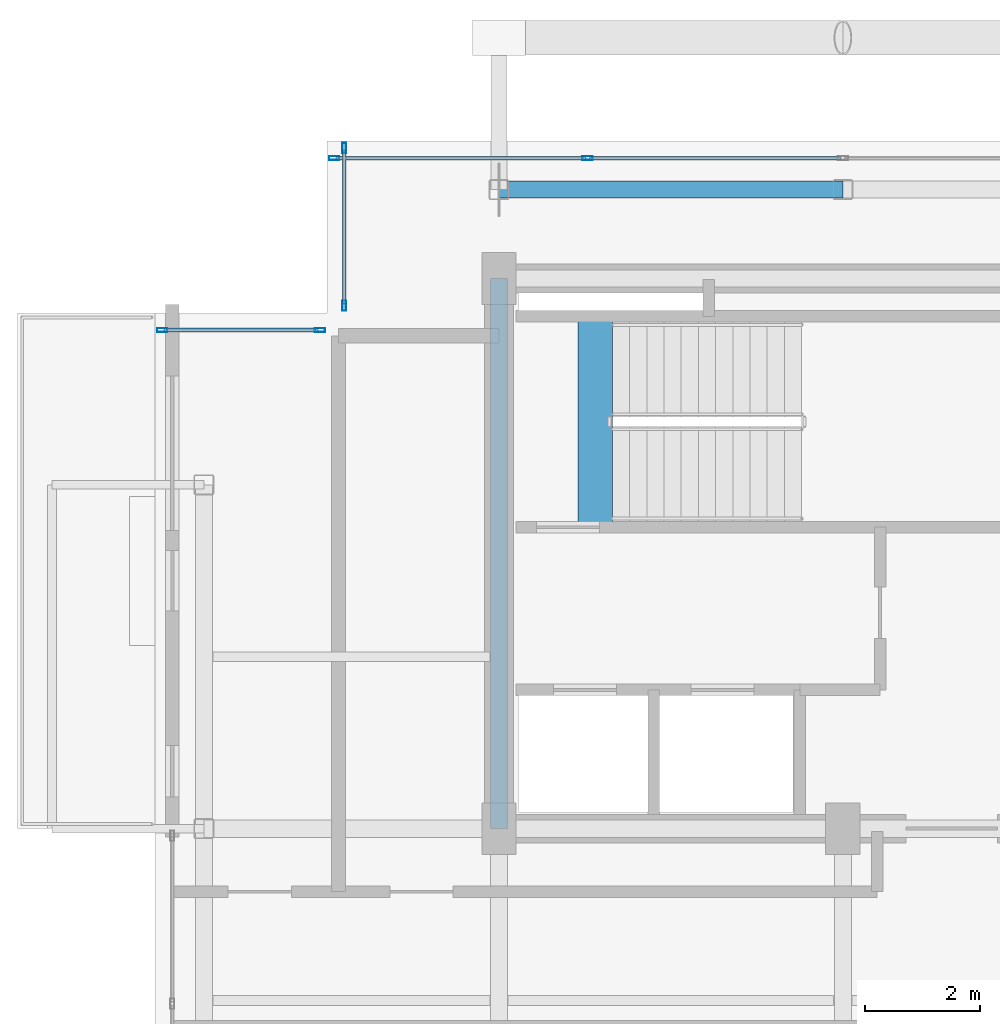
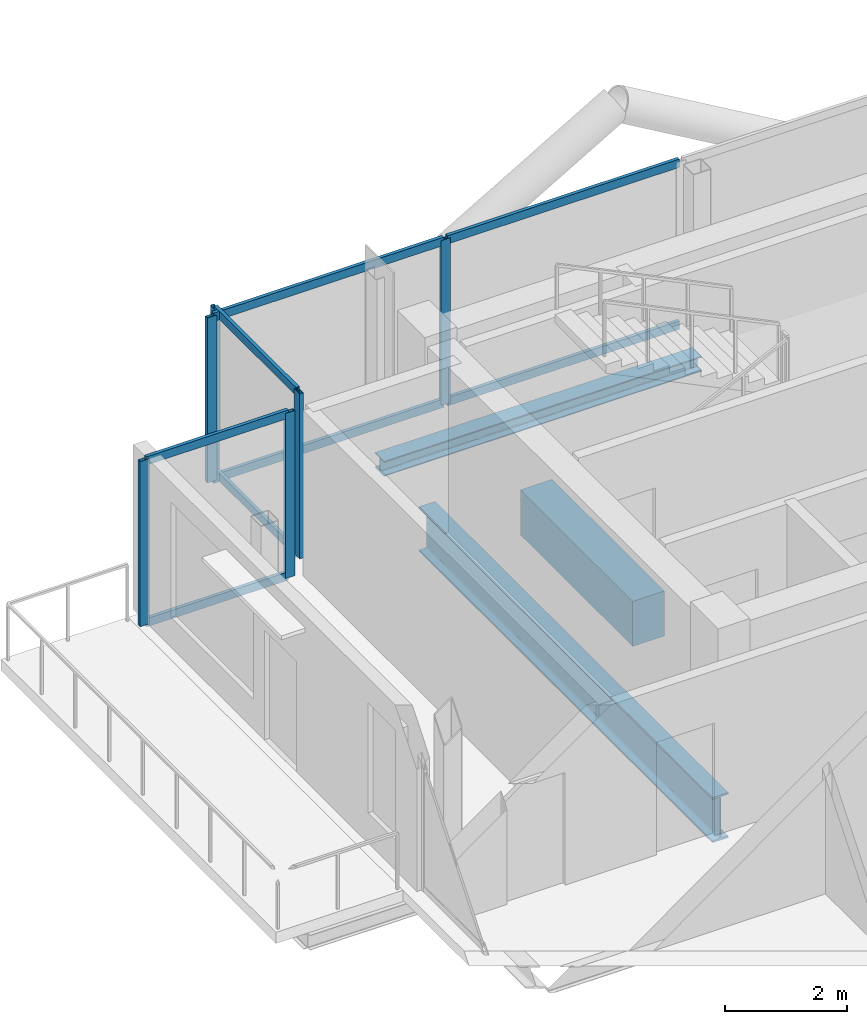
# One storey, part 8 of 19: 14 members, 3 beams, 3 elements without a shape of their own.
"""IFC4 building model written with IfcOpenShell, lengths in metres."""

import ifcopenshell
import ifcopenshell.guid

model = None  # the IFC model being written
_history = None  # IfcOwnerHistory: only IFC2X3 demands one
_inside = {}  # id of a spatial element -> (the spatial element, [elements in it])
_under = {}  # id of a project, library or spatial element -> (it, [spatial elements below it])
_declared = {}  # id of a project -> (the project, [libraries it declares])
_typed = {}  # id of a type object -> (the type object, [elements of that type])
_made_of = {}  # id of a material, layer set ... -> (it, [elements and type objects made of it])


def new_model(schema):
    """Start an empty IFC model of exactly this schema.

    Asked for "IFC4X3", IfcOpenShell would pick the latest addendum, in which some entities
    have other attributes; the version numbers below select the first issue.
    IFC2X3 requires an IfcOwnerHistory on every rooted entity: one is made here for all.
    """
    global model, _history
    if schema == "IFC4X3":
        model = ifcopenshell.file(schema_version=(4, 3, 0, 0))
    else:
        model = ifcopenshell.file(schema=schema)
    _inside.clear()
    _under.clear()
    _declared.clear()
    _typed.clear()
    _made_of.clear()
    _history = None
    if model.schema == "IFC2X3":
        org = make("IfcOrganization", Name="unknown")
        user = make(
            "IfcPersonAndOrganization",
            ThePerson=make("IfcPerson", FamilyName="unknown"),
            TheOrganization=org,
        )
        app = make(
            "IfcApplication",
            ApplicationDeveloper=org,
            Version="unknown",
            ApplicationFullName="unknown",
            ApplicationIdentifier="unknown",
        )
        _history = make(
            "IfcOwnerHistory",
            OwningUser=user,
            OwningApplication=app,
            ChangeAction="ADDED",
            CreationDate=0,
        )
    return model


def make(cls, **values):
    """One entity of the class cls with the attributes given. An attribute that is None is left unset."""
    return model.create_entity(
        cls, **{name: value for name, value in values.items() if value is not None}
    )


def rooted(cls, **values):
    """An entity with a GlobalId (a new one), such as an element, a storey or a relation."""
    return make(cls, GlobalId=ifcopenshell.guid.new(), OwnerHistory=_history, **values)


def si_unit(unit_type, name, prefix=None):
    """IfcSIUnit, for example si_unit("LENGTHUNIT", "METRE", prefix="MILLI")."""
    return make("IfcSIUnit", UnitType=unit_type, Prefix=prefix, Name=name)


def assignment(units):
    """IfcUnitAssignment: the units of a project."""
    return None if units is None else make("IfcUnitAssignment", Units=units)


def point(xyz):
    """IfcCartesianPoint."""
    return None if xyz is None else make("IfcCartesianPoint", Coordinates=xyz)


def direction(xyz):
    """IfcDirection."""
    return None if xyz is None else make("IfcDirection", DirectionRatios=xyz)


def frame(location, z_axis=None, x_axis=None):
    """IfcAxis2Placement3D, a coordinate frame: its origin and axes. An axis left out is left unset."""
    return make(
        "IfcAxis2Placement3D",
        Location=point(location),
        Axis=direction(z_axis),
        RefDirection=direction(x_axis),
    )


def frame_2d(location, x_axis=None):
    """IfcAxis2Placement2D, a coordinate frame in the plane: its origin and x axis."""
    return make(
        "IfcAxis2Placement2D", Location=point(location), RefDirection=direction(x_axis)
    )


def origin():
    """The frame at (0, 0, 0) with its axes left unset."""
    return frame((0.0, 0.0, 0.0))


def origin_2d():
    """The frame at (0, 0) in the plane with its x axis left unset."""
    return frame_2d((0.0, 0.0))


def place(relative_to, where):
    """IfcLocalPlacement: puts the frame where relative to a parent placement (None: the world)."""
    return make(
        "IfcLocalPlacement", PlacementRelTo=relative_to, RelativePlacement=where
    )


def context(
    kind, dimensions, precision=None, world=None, true_north=None, identifier=None
):
    """IfcGeometricRepresentationContext, for example the 3D "Model" context."""
    return make(
        "IfcGeometricRepresentationContext",
        ContextIdentifier=identifier,
        ContextType=kind,
        CoordinateSpaceDimension=dimensions,
        Precision=precision,
        WorldCoordinateSystem=world,
        TrueNorth=true_north,
    )


def subcontext(parent, identifier, kind, view, scale=None):
    """IfcGeometricRepresentationSubContext, for example "Body" below "Model"."""
    return make(
        "IfcGeometricRepresentationSubContext",
        ContextIdentifier=identifier,
        ContextType=kind,
        ParentContext=parent,
        TargetScale=scale,
        TargetView=view,
    )


def project(units=None, contexts=None):
    """IfcProject with its units and contexts."""
    return rooted(
        "IfcProject",
        Name="project",
        RepresentationContexts=contexts,
        UnitsInContext=assignment(units),
    )


def spatial(cls, under=None, at=None, **own):
    """A site, building, storey or space (cls), placed at a placement, below another one or the project."""
    s = rooted(cls, ObjectPlacement=at, **own)
    if under is not None:
        _under.setdefault(under.id(), (under, []))[1].append(s)
    return s


def profile(cls, at=None, kind="AREA", **sizes):
    """A parametric profile (cls). Its sizes go by their IFC names, for example OverallWidth=200.0."""
    return make(cls, ProfileType=kind, Position=at, **sizes)


def rectangle(**sizes):
    """IfcRectangleProfileDef."""
    return profile("IfcRectangleProfileDef", **sizes)


def hollow_rectangle(**sizes):
    """IfcRectangleHollowProfileDef."""
    return profile("IfcRectangleHollowProfileDef", **sizes)


def i_section(**sizes):
    """IfcIShapeProfileDef."""
    return profile("IfcIShapeProfileDef", **sizes)


def extrude(swept, where, along, depth):
    """IfcExtrudedAreaSolid: the profile swept, set in the frame where, extruded along a direction by depth."""
    return make(
        "IfcExtrudedAreaSolid",
        SweptArea=swept,
        Position=where,
        ExtrudedDirection=direction(along),
        Depth=depth,
    )


def shape(context_of_items, identifier, shape_type, items):
    """IfcShapeRepresentation: the items that make up one representation, for example the "Body"."""
    return make(
        "IfcShapeRepresentation",
        ContextOfItems=context_of_items,
        RepresentationIdentifier=identifier,
        RepresentationType=shape_type,
        Items=items,
    )


def material(Name=None, Category=None):
    """IfcMaterial."""
    return make("IfcMaterial", Name=Name, Category=Category)


def layer(
    of_material, thickness, ventilated=None, Name=None, Category=None, Priority=None
):
    """IfcMaterialLayer: one layer of a wall or slab, of a material (None: an air gap)."""
    return make(
        "IfcMaterialLayer",
        Material=of_material,
        LayerThickness=thickness,
        IsVentilated=ventilated,
        Name=Name,
        Category=Category,
        Priority=Priority,
    )


def layer_set(layers, Name=None):
    """IfcMaterialLayerSet."""
    return make("IfcMaterialLayerSet", MaterialLayers=layers, LayerSetName=Name)


def material_profile(
    of_material, cross_section, Name=None, Category=None, Priority=None
):
    """IfcMaterialProfile: a cross section and its material."""
    return make(
        "IfcMaterialProfile",
        Name=Name,
        Material=of_material,
        Profile=cross_section,
        Priority=Priority,
        Category=Category,
    )


def profile_set(profiles, Name=None, composite=None):
    """IfcMaterialProfileSet."""
    return make(
        "IfcMaterialProfileSet",
        Name=Name,
        MaterialProfiles=profiles,
        CompositeProfile=composite,
    )


def made_of(thing, what):
    """Note that an element or type object is made of a material, layer set ...; save() writes the relation."""
    if what is not None:
        _made_of.setdefault(what.id(), (what, []))[1].append(thing)
    return thing


def type_object(cls, material=None, **own):
    """A type object (cls), such as IfcWallType, which elements share."""
    return made_of(rooted(cls, **own), material)


def element(
    cls,
    number,
    at=None,
    inside=None,
    cuts=None,
    type_object=None,
    material=None,
    context=None,
    identifier="Body",
    shape_type=None,
    held_by="IfcProductDefinitionShape",
    body=None,
    shapes=None,
    **own,
):
    """One element of the class cls, such as IfcWall. Its Tag is "e" and its number.

    at: its placement. inside: the storey or other place that contains it. cuts: it is an
    opening in that element (IfcRelVoidsElement). A single representation is given by context,
    identifier, shape_type and body (its items); several are given by shapes. held_by: the class
    of the entity that holds the representations. save() writes the other relations.
    """
    e = rooted(cls, Tag="e%d" % number, ObjectPlacement=at, **own)
    if body is not None:
        shapes = [shape(context, identifier, shape_type, body)]
    if shapes is not None:
        e.Representation = make(held_by, Representations=shapes)
    if inside is not None:
        _inside.setdefault(inside.id(), (inside, []))[1].append(e)
    if cuts is not None:
        rooted(
            "IfcRelVoidsElement", RelatingBuildingElement=cuts, RelatedOpeningElement=e
        )
    if type_object is not None:
        _typed.setdefault(type_object.id(), (type_object, []))[1].append(e)
    return made_of(e, material)


def aggregate(whole, parts):
    """IfcRelAggregates: a whole, such as a stair, and the parts it consists of."""
    return rooted("IfcRelAggregates", RelatingObject=whole, RelatedObjects=parts)


def save(model, path):
    """Write the relations noted so far, then the file.

    IfcRelAggregates (storeys below a building ...), IfcRelContainedInSpatialStructure (elements
    in a storey), IfcRelDefinesByType, IfcRelAssociatesMaterial and IfcRelDeclares: one each for
    every whole, place, type object, material and project.
    """
    for whole, parts in _under.values():
        aggregate(whole, parts)
    for where, things in _inside.values():
        rooted(
            "IfcRelContainedInSpatialStructure",
            RelatedElements=things,
            RelatingStructure=where,
        )
    for kind, things in _typed.values():
        rooted("IfcRelDefinesByType", RelatedObjects=things, RelatingType=kind)
    for what, things in _made_of.values():
        rooted("IfcRelAssociatesMaterial", RelatedObjects=things, RelatingMaterial=what)
    for by, libraries in _declared.values():
        rooted("IfcRelDeclares", RelatingContext=by, RelatedDefinitions=libraries)
    model.write(path)


model = new_model("IFC4")

# Units and contexts
model_context = context("Model", 3, precision=1e-05, world=origin(), true_north=direction((0.0, 1.0)))
body_context = subcontext(model_context, "Body", "Model", "MODEL_VIEW")
ifc_project = project(units=[si_unit("LENGTHUNIT", "METRE"), si_unit("AREAUNIT", "SQUARE_METRE"), si_unit("VOLUMEUNIT", "CUBIC_METRE"), si_unit("PLANEANGLEUNIT", "RADIAN"), si_unit("MASSUNIT", "GRAM", prefix="KILO"), si_unit("THERMODYNAMICTEMPERATUREUNIT", "KELVIN"), si_unit("POWERUNIT", "WATT")], contexts=[model_context])

# Site, building, storey
site_placement = place(None, origin())
site = spatial("IfcSite", under=ifc_project, at=site_placement, CompositionType="ELEMENT")
building_placement = place(site_placement, origin())
building = spatial("IfcBuilding", under=site, at=building_placement, Name="Svarakhadi Broadcast Tower", CompositionType="ELEMENT")
storey_placement = place(building_placement, frame((0.0, 0.0, 243.199951171875)))
storey = spatial("IfcBuildingStorey", under=building, at=storey_placement, Name="L60", CompositionType="ELEMENT", Elevation=243.199951171875)

# Curtain wall, members
ifc_material_1 = material(Name="Anodised Bronze Aluminium AA 6063-T6", Category="aluminium")
ifc_layer = layer(ifc_material_1, 0.179931640625)
ifc_layer_set = layer_set([ifc_layer], Name="Anodised Bronze Aluminium AA 6063-T6")
curtain_wall_type = type_object("IfcCurtainWallType", Name="CW_Sys_05", PredefinedType="NOTDEFINED", material=ifc_layer_set)
curtain_wall_1_placement = place(storey_placement, origin())
curtain_wall_1 = element("IfcCurtainWall", 1, at=curtain_wall_1_placement, inside=storey, type_object=curtain_wall_type, Name="L60 Unitised Facade Curtain Wall 03", PredefinedType="NOTDEFINED")
ifc_material_profile_1 = material_profile(ifc_material_1, hollow_rectangle(XDim=0.070068359375, YDim=0.179931640625, WallThickness=0.005615234375, at=origin_2d()), Name="ALU MULLION 180x70x6")
ifc_profile_set_1 = profile_set([ifc_material_profile_1], Name="Anodised Bronze Aluminium AA 6063-T6")
member_type_1 = type_object("IfcMemberType", Name="CW_Sys_05_Mul", PredefinedType="MULLION", material=ifc_profile_set_1)
member_1_placement = place(storey_placement, frame((0.125, 26.699951171875, 0.0), z_axis=(0.0, 0.0, 1.0), x_axis=(0.0, 1.0, 0.0)))
member_1 = element("IfcMember", 2, at=member_1_placement, type_object=member_type_1, Name="CW-05 mullion 1", PredefinedType="MULLION", context=body_context, shape_type="SweptSolid", body=[
    extrude(hollow_rectangle(XDim=0.070068359375, YDim=0.179931640625, WallThickness=0.005615234375, at=origin_2d()), origin(), (0.0, 0.0, 1.0), 3.300048828125),
])
member_2_placement = place(storey_placement, frame((2.875, 26.699951171875, 0.0), z_axis=(0.0, 0.0, 1.0), x_axis=(0.0, 1.0, 0.0)))
member_2 = element("IfcMember", 3, at=member_2_placement, type_object=member_type_1, Name="CW-05 mullion 2", PredefinedType="MULLION", context=body_context, shape_type="SweptSolid", body=[
    extrude(hollow_rectangle(XDim=0.070068359375, YDim=0.179931640625, WallThickness=0.005615234375, at=origin_2d()), origin(), (0.0, 0.0, 1.0), 3.300048828125),
])

curtain_wall_2_placement = place(storey_placement, origin())
curtain_wall_2 = element("IfcCurtainWall", 4, at=curtain_wall_2_placement, inside=storey, type_object=curtain_wall_type, Name="L60 Unitised Facade Curtain Wall 04", PredefinedType="NOTDEFINED")
member_3_placement = place(storey_placement, frame((3.300048828125, 27.125, 0.0), z_axis=(0.0, 0.0, 1.0), x_axis=(-1.0, 0.0, 0.0)))
member_3 = element("IfcMember", 5, at=member_3_placement, type_object=member_type_1, Name="CW-05 mullion 1", PredefinedType="MULLION", context=body_context, shape_type="SweptSolid", body=[
    extrude(hollow_rectangle(XDim=0.070068359375, YDim=0.179931640625, WallThickness=0.005615234375, at=origin_2d()), origin(), (0.0, 0.0, 1.0), 3.300048828125),
])
member_4_placement = place(storey_placement, frame((3.300048828125, 29.875, 0.0), z_axis=(0.0, 0.0, 1.0), x_axis=(-1.0, 0.0, 0.0)))
member_4 = element("IfcMember", 6, at=member_4_placement, type_object=member_type_1, Name="CW-05 mullion 2", PredefinedType="MULLION", context=body_context, shape_type="SweptSolid", body=[
    extrude(hollow_rectangle(XDim=0.070068359375, YDim=0.179931640625, WallThickness=0.005615234375, at=origin_2d()), origin(), (0.0, 0.0, 1.0), 3.300048828125),
])

curtain_wall_3_placement = place(storey_placement, origin())
curtain_wall_3 = element("IfcCurtainWall", 7, at=curtain_wall_3_placement, inside=storey, type_object=curtain_wall_type, Name="L60 Unitised Facade Curtain Wall 05", PredefinedType="NOTDEFINED")
member_5_placement = place(storey_placement, frame((3.125, 29.699951171875, 0.0), z_axis=(0.0, 0.0, 1.0), x_axis=(0.0, 1.0, 0.0)))
member_5 = element("IfcMember", 8, at=member_5_placement, type_object=member_type_1, Name="CW-05 mullion 1", PredefinedType="MULLION", context=body_context, shape_type="SweptSolid", body=[
    extrude(hollow_rectangle(XDim=0.070068359375, YDim=0.179931640625, WallThickness=0.005615234375, at=origin_2d()), origin(), (0.0, 0.0, 1.0), 3.300048828125),
])
member_6_placement = place(storey_placement, frame((7.544921875, 29.699951171875, 0.0), z_axis=(0.0, 0.0, 1.0), x_axis=(0.0, 1.0, 0.0)))
member_6 = element("IfcMember", 9, at=member_6_placement, type_object=member_type_1, Name="CW-05 mullion 2", PredefinedType="MULLION", context=body_context, shape_type="SweptSolid", body=[
    extrude(hollow_rectangle(XDim=0.070068359375, YDim=0.179931640625, WallThickness=0.005615234375, at=origin_2d()), origin(), (0.0, 0.0, 1.0), 3.300048828125),
])

# Member
ifc_material_profile_2 = material_profile(ifc_material_1, hollow_rectangle(XDim=0.06494140625, YDim=0.1650390625, WallThickness=0.0048828125, at=origin_2d()), Name="ALU TRANSOM 165x65x5")
ifc_profile_set_2 = profile_set([ifc_material_profile_2], Name="Anodised Bronze Aluminium AA 6063-T6")
member_type_2 = type_object("IfcMemberType", Name="CW_Sys_05_Trn", PredefinedType="USERDEFINED", material=ifc_profile_set_2)
member_7_placement = place(storey_placement, frame((0.159912109375, 26.699951171875, 0.032470703125), z_axis=(1.0, 0.0, 0.0), x_axis=(0.0, 1.0, 0.0)))
member_7 = element("IfcMember", 10, at=member_7_placement, type_object=member_type_2, Name="CW-05 transom 1.1", ObjectType="TRANSOM", PredefinedType="USERDEFINED", context=body_context, shape_type="SweptSolid", body=[
    extrude(hollow_rectangle(XDim=0.06494140625, YDim=0.1650390625, WallThickness=0.0048828125, at=origin_2d()), origin(), (0.0, 0.0, 1.0), 2.68017578125),
])

member_8_placement = place(storey_placement, frame((0.159912109375, 26.699951171875, 3.267578125), z_axis=(1.0, 0.0, 0.0), x_axis=(0.0, 1.0, 0.0)))
member_8 = element("IfcMember", 11, at=member_8_placement, type_object=member_type_2, Name="CW-05 transom 1.2", ObjectType="TRANSOM", PredefinedType="USERDEFINED", context=body_context, shape_type="SweptSolid", body=[
    extrude(hollow_rectangle(XDim=0.06494140625, YDim=0.1650390625, WallThickness=0.0048828125, at=origin_2d()), origin(), (0.0, 0.0, 1.0), 2.68017578125),
])

aggregate(curtain_wall_1, [member_1, member_2, member_7, member_8])

member_9_placement = place(storey_placement, frame((3.300048828125, 27.159912109375, 0.032470703125), z_axis=(0.0, 1.0, 0.0), x_axis=(-1.0, 0.0, 0.0)))
member_9 = element("IfcMember", 12, at=member_9_placement, type_object=member_type_2, Name="CW-05 transom 1.1", ObjectType="TRANSOM", PredefinedType="USERDEFINED", context=body_context, shape_type="SweptSolid", body=[
    extrude(hollow_rectangle(XDim=0.06494140625, YDim=0.1650390625, WallThickness=0.0048828125, at=origin_2d()), origin(), (0.0, 0.0, 1.0), 2.68017578125),
])

member_10_placement = place(storey_placement, frame((3.300048828125, 27.159912109375, 3.267578125), z_axis=(0.0, 1.0, 0.0), x_axis=(-1.0, 0.0, 0.0)))
member_10 = element("IfcMember", 13, at=member_10_placement, type_object=member_type_2, Name="CW-05 transom 1.2", ObjectType="TRANSOM", PredefinedType="USERDEFINED", context=body_context, shape_type="SweptSolid", body=[
    extrude(hollow_rectangle(XDim=0.06494140625, YDim=0.1650390625, WallThickness=0.0048828125, at=origin_2d()), origin(), (0.0, 0.0, 1.0), 2.68017578125),
])

aggregate(curtain_wall_2, [member_3, member_4, member_9, member_10])

member_11_placement = place(storey_placement, frame((3.159912109375, 29.699951171875, 0.032470703125), z_axis=(1.0, 0.0, 0.0), x_axis=(0.0, 1.0, 0.0)))
member_11 = element("IfcMember", 14, at=member_11_placement, type_object=member_type_2, Name="CW-05 transom 1.1", ObjectType="TRANSOM", PredefinedType="USERDEFINED", context=body_context, shape_type="SweptSolid", body=[
    extrude(hollow_rectangle(XDim=0.06494140625, YDim=0.1650390625, WallThickness=0.0048828125, at=origin_2d()), origin(), (0.0, 0.0, 1.0), 4.35009765625),
])

member_12_placement = place(storey_placement, frame((3.159912109375, 29.699951171875, 3.267578125), z_axis=(1.0, 0.0, 0.0), x_axis=(0.0, 1.0, 0.0)))
member_12 = element("IfcMember", 15, at=member_12_placement, type_object=member_type_2, Name="CW-05 transom 1.2", ObjectType="TRANSOM", PredefinedType="USERDEFINED", context=body_context, shape_type="SweptSolid", body=[
    extrude(hollow_rectangle(XDim=0.06494140625, YDim=0.1650390625, WallThickness=0.0048828125, at=origin_2d()), origin(), (0.0, 0.0, 1.0), 4.35009765625),
])

member_13_placement = place(storey_placement, frame((7.580078125, 29.699951171875, 0.032470703125), z_axis=(1.0, 0.0, 0.0), x_axis=(0.0, 1.0, 0.0)))
member_13 = element("IfcMember", 16, at=member_13_placement, type_object=member_type_2, Name="CW-05 transom 2.1", ObjectType="TRANSOM", PredefinedType="USERDEFINED", context=body_context, shape_type="SweptSolid", body=[
    extrude(hollow_rectangle(XDim=0.06494140625, YDim=0.1650390625, WallThickness=0.0048828125, at=origin_2d()), origin(), (0.0, 0.0, 1.0), 4.385009765625),
])

member_14_placement = place(storey_placement, frame((7.580078125, 29.699951171875, 3.267578125), z_axis=(1.0, 0.0, 0.0), x_axis=(0.0, 1.0, 0.0)))
member_14 = element("IfcMember", 17, at=member_14_placement, type_object=member_type_2, Name="CW-05 transom 2.2", ObjectType="TRANSOM", PredefinedType="USERDEFINED", context=body_context, shape_type="SweptSolid", body=[
    extrude(hollow_rectangle(XDim=0.06494140625, YDim=0.1650390625, WallThickness=0.0048828125, at=origin_2d()), origin(), (0.0, 0.0, 1.0), 4.385009765625),
])

aggregate(curtain_wall_3, [member_5, member_6, member_11, member_12, member_13, member_14])

# Beams
ifc_material_2 = material(Name="Concrete C50/60 (IS 456 M60)", Category="concrete")
ifc_material_profile_3 = material_profile(ifc_material_2, rectangle(XDim=0.60009765625, YDim=0.89990234375, at=origin_2d()), Name="RC 600x900")
ifc_profile_set_3 = profile_set([ifc_material_profile_3], Name="Concrete C50/60 (IS 456 M60)")
beam_type_1 = type_object("IfcBeamType", Name="Coupling_RC600", PredefinedType="USERDEFINED", material=ifc_profile_set_3)
beam_1_placement = place(storey_placement, frame((7.679931640625, 23.260009765625, -0.449951171875), z_axis=(0.0, 1.0, 0.0), x_axis=(-1.0, 0.0, 0.0)))
element("IfcBeam", 18, at=beam_1_placement, inside=storey, type_object=beam_type_1, Name="L60 Stair ST-01 Landing Throat Trimmer Beam CB-01", ObjectType="GIRDER", PredefinedType="USERDEFINED", context=body_context, shape_type="SweptSolid", body=[
    extrude(rectangle(XDim=0.60009765625, YDim=0.89990234375, at=origin_2d()), origin(), (0.0, 0.0, 1.0), 3.679931640625),
])
ifc_material_3 = material(Name="Steel S355J2 (IS 2062 E350C)", Category="steel")
ifc_material_profile_4 = material_profile(ifc_material_3, i_section(OverallWidth=0.300048828125, OverallDepth=0.300048828125, WebThickness=0.010986328125, FlangeThickness=0.01904296875, FilletRadius=0.027099609375, at=origin_2d()), Name="WPB 300x300x117")
ifc_profile_set_4 = profile_set([ifc_material_profile_4], Name="Steel S355J2 (IS 2062 E350C)")
beam_type_2 = type_object("IfcBeamType", Name="Girder_WPB300", PredefinedType="USERDEFINED", material=ifc_profile_set_4)
beam_2_placement = place(storey_placement, frame((6.0, 29.14990234375, -0.349853515625), z_axis=(1.0, 0.0, 0.0), x_axis=(0.0, 1.0, 0.0)))
element("IfcBeam", 19, at=beam_2_placement, inside=storey, type_object=beam_type_2, Name="L60 Primary E-W Girder G024", ObjectType="GIRDER", PredefinedType="USERDEFINED", context=body_context, shape_type="SweptSolid", body=[
    extrude(i_section(OverallWidth=0.300048828125, OverallDepth=0.300048828125, WebThickness=0.010986328125, FlangeThickness=0.01904296875, FilletRadius=0.027099609375, at=origin_2d()), origin(), (0.0, 0.0, 1.0), 6.0),
])
ifc_material_4 = material(Name="Steel S460ML (IS 2062 E450BR)", Category="steel")
ifc_material_profile_5 = material_profile(ifc_material_4, i_section(OverallWidth=0.300048828125, OverallDepth=0.89990234375, WebThickness=0.0185546875, FlangeThickness=0.034912109375, FilletRadius=0.030029296875, at=origin_2d()), Name="WPB 900x300x291")
ifc_profile_set_5 = profile_set([ifc_material_profile_5], Name="Steel S460ML (IS 2062 E450BR)")
beam_type_3 = type_object("IfcBeamType", Name="Girder_WPB900", PredefinedType="USERDEFINED", material=ifc_profile_set_5)
beam_3_placement = place(storey_placement, frame((6.0, 18.0, -0.64990234375), z_axis=(0.0, 1.0, 0.0), x_axis=(-1.0, 0.0, 0.0)))
element("IfcBeam", 20, at=beam_3_placement, inside=storey, type_object=beam_type_3, Name="L60 Primary N-S Girder G032", ObjectType="GIRDER", PredefinedType="USERDEFINED", context=body_context, shape_type="SweptSolid", body=[
    extrude(i_section(OverallWidth=0.300048828125, OverallDepth=0.89990234375, WebThickness=0.0185546875, FlangeThickness=0.034912109375, FilletRadius=0.030029296875, at=origin_2d()), origin(), (0.0, 0.0, 1.0), 9.60009765625),
])

save(model, "model.ifc")
